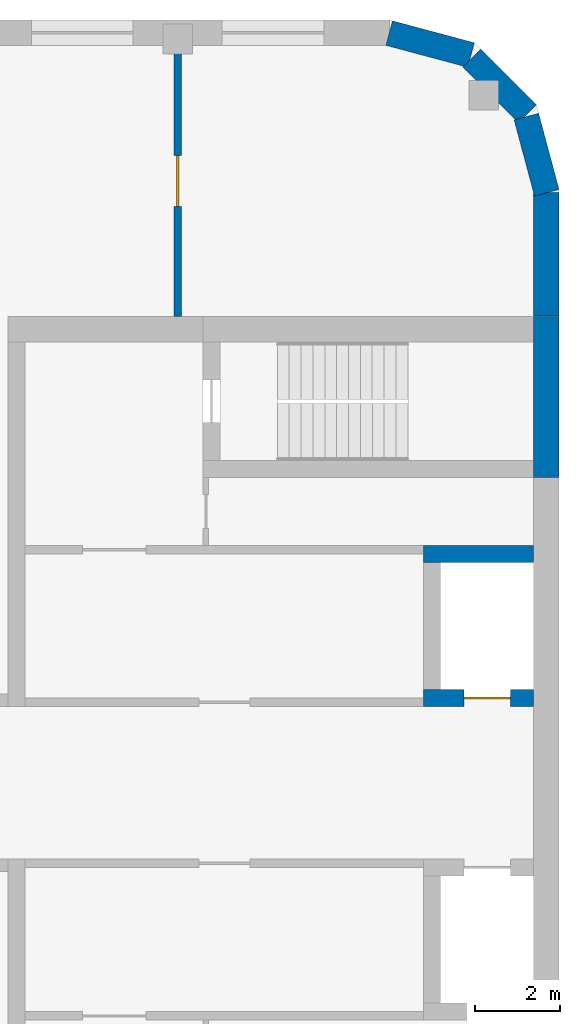
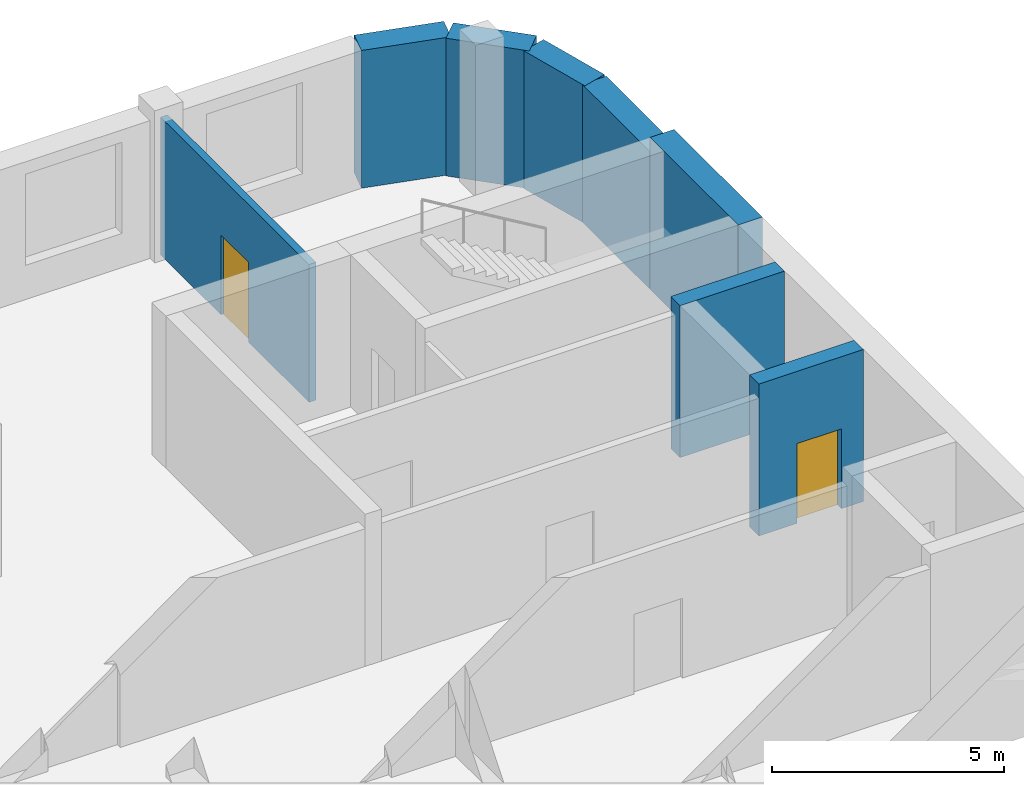
# One storey, part 10 of 16: 8 walls, 2 doors, 2 openings.
"""IFC4 building model written with IfcOpenShell, lengths in metres."""

from ifc_helpers import new_model, si_unit, direction, frame, frame_2d, origin, place, context, subcontext, project, spatial, rectangle, extrude, material, layer, layer_set, type_object, element, fill, save


model = new_model("IFC4")

# Units and contexts
model_context = context("Model", 3, precision=1e-05, world=origin(), true_north=direction((0.0, 1.0)))
body_context = subcontext(model_context, "Body", "Model", "MODEL_VIEW")
ifc_project = project(units=[si_unit("LENGTHUNIT", "METRE"), si_unit("AREAUNIT", "SQUARE_METRE"), si_unit("VOLUMEUNIT", "CUBIC_METRE"), si_unit("PLANEANGLEUNIT", "RADIAN"), si_unit("MASSUNIT", "GRAM", prefix="KILO")], contexts=[model_context])

# Site, building, storey
site_placement = place(None, origin())
site = spatial("IfcSite", under=ifc_project, at=site_placement, CompositionType="ELEMENT")
building_placement = place(site_placement, origin())
building = spatial("IfcBuilding", under=site, at=building_placement, Name="Skarvind Civic Tower", CompositionType="ELEMENT")
storey_placement = place(building_placement, frame((0.0, 0.0, 67.5)))
storey = spatial("IfcBuildingStorey", under=building, at=storey_placement, Name="L15", CompositionType="ELEMENT", Elevation=67.5)

# Wall, opening, door
ifc_material_1 = material(Name="Acoustic gypsum board on steel studs", Category="steel")
ifc_layer_1 = layer(ifc_material_1, 0.175048828125)
ifc_layer_set_1 = layer_set([ifc_layer_1], Name="ACOUSTIC MEETING-ROOM PARTITION 175")
wall_type_1 = type_object("IfcWallType", Name="ACOUSTIC MEETING-ROOM PARTITION 175", PredefinedType="PARTITIONING", material=ifc_layer_set_1)
wall_1_placement = place(storey_placement, frame((158.0, 139.0, 0.0), z_axis=(0.0, 0.0, 1.0), x_axis=(0.0, 1.0, 0.0)))
wall_1 = element("IfcWall", 1, at=wall_1_placement, inside=storey, type_object=wall_type_1, Name="Partition 15.017", PredefinedType="PARTITIONING", context=body_context, shape_type="SweptSolid", body=[
    extrude(rectangle(XDim=6.39990234375, YDim=0.175048828125, at=frame_2d((3.199951171875, 0.0))), origin(), (0.0, 0.0, 1.0), 3.625),
])
opening_1_placement = place(wall_1_placement, frame((2.60009765625, 0.0, 0.0)))
opening_1 = element("IfcOpeningElement", 2, at=opening_1_placement, cuts=wall_1, Name="Opening L15-D104", PredefinedType="OPENING", context=body_context, shape_type="SweptSolid", body=[
    extrude(rectangle(XDim=1.199951171875, YDim=2.10009765625, at=frame_2d((0.60009765625, 1.050048828125))), frame((0.0, 0.097412109375, 0.0), z_axis=(0.0, -1.0, 0.0), x_axis=(1.0, 0.0, 0.0)), (0.0, 0.0, 1.0), 0.195068359375),
])
ifc_material_2 = material(Name="Timber door leaf", Category="wood")
door_type_1 = type_object("IfcDoorType", Name="DOOR 1200X2100 DOUBLE TIMBER", OperationType="NOTDEFINED", PredefinedType="DOOR", material=ifc_material_2)
door_1_placement = place(opening_1_placement, origin())
door_1 = element("IfcDoor", 3, at=door_1_placement, inside=storey, type_object=door_type_1, Name="Door L15-D104", OperationType="DOUBLE_DOOR_SINGLE_SWING", OverallHeight=2.10009765625, OverallWidth=1.199951171875, PredefinedType="DOOR", context=body_context, shape_type="SweptSolid", body=[
    extrude(rectangle(XDim=1.199951171875, YDim=2.10009765625, at=frame_2d((0.60009765625, 1.050048828125))), frame((0.0, 0.02490234375, 0.0), z_axis=(0.0, -1.0, 0.0), x_axis=(1.0, 0.0, 0.0)), (0.0, 0.0, 1.0), 0.050048828125),
])
fill(opening_1, door_1)

ifc_material_3 = material(Name="Concrete C80", Category="concrete")
ifc_layer_2 = layer(ifc_material_3, 0.39990234375)
ifc_layer_set_2 = layer_set([ifc_layer_2], Name="Core wall 400 C80")
wall_type_2 = type_object("IfcWallType", Name="Core wall 400 C80", PredefinedType="SHEAR", material=ifc_layer_set_2)
wall_2_placement = place(storey_placement, frame((166.39990234375, 130.0, 0.0), z_axis=(0.0, 0.0, 1.0), x_axis=(-1.0, 0.0, 0.0)))
wall_2 = element("IfcWall", 4, at=wall_2_placement, inside=storey, type_object=wall_type_2, Name="Core wall CB south lift row front L15", PredefinedType="SHEAR", context=body_context, shape_type="SweptSolid", body=[
    extrude(rectangle(XDim=2.599853515625, YDim=0.39990234375, at=frame_2d((1.2998046875, 0.0))), origin(), (0.0, 0.0, 1.0), 4.0),
])
opening_2_placement = place(wall_2_placement, frame((0.550048828125, 0.0, 0.0)))
opening_2 = element("IfcOpeningElement", 5, at=opening_2_placement, cuts=wall_2, Name="Opening LD17402", PredefinedType="OPENING", context=body_context, shape_type="SweptSolid", body=[
    extrude(rectangle(XDim=1.10009765625, YDim=2.10009765625, at=frame_2d((0.550048828125, 1.050048828125))), frame((0.0, 0.2099609375, 0.0), z_axis=(0.0, -1.0, 0.0), x_axis=(1.0, 0.0, 0.0)), (0.0, 0.0, 1.0), 0.419921875),
])
ifc_material_4 = material(Name="Stainless steel landing door", Category="steel")
door_type_2 = type_object("IfcDoorType", Name="Lift landing door 1100", OperationType="DOUBLE_DOOR_SLIDING", PredefinedType="DOOR", material=ifc_material_4)
door_2_placement = place(opening_2_placement, origin())
door_2 = element("IfcDoor", 6, at=door_2_placement, inside=storey, type_object=door_type_2, Name="Lift landing door", OperationType="DOUBLE_DOOR_SLIDING", OverallHeight=2.10009765625, OverallWidth=1.10009765625, PredefinedType="DOOR", context=body_context, shape_type="SweptSolid", body=[
    extrude(rectangle(XDim=1.10009765625, YDim=2.10009765625, at=frame_2d((0.550048828125, 1.050048828125))), frame((0.0, 0.02490234375, 0.0), z_axis=(0.0, -1.0, 0.0), x_axis=(1.0, 0.0, 0.0)), (0.0, 0.0, 1.0), 0.050048828125),
])
fill(opening_2, door_2)

# Walls
wall_3_placement = place(storey_placement, frame((166.39990234375, 133.39990234375, 0.0), z_axis=(0.0, 0.0, 1.0), x_axis=(-1.0, 0.0, 0.0)))
element("IfcWall", 7, at=wall_3_placement, inside=storey, type_object=wall_type_2, Name="Core wall CB south lift row back L15", PredefinedType="SHEAR", context=body_context, shape_type="SweptSolid", body=[
    extrude(rectangle(XDim=2.599853515625, YDim=0.39990234375, at=frame_2d((1.2998046875, 0.0))), origin(), (0.0, 0.0, 1.0), 4.0),
])
ifc_layer_3 = layer(ifc_material_3, 0.60009765625)
ifc_layer_set_3 = layer_set([ifc_layer_3], Name="Core wall 600 C80")
wall_type_3 = type_object("IfcWallType", Name="Core wall 600 C80", PredefinedType="SHEAR", material=ifc_layer_set_3)
wall_4_placement = place(storey_placement, frame((166.699951171875, 139.0, 0.0), z_axis=(0.0, 0.0, 1.0), x_axis=(0.0, -1.0, 0.0)))
element("IfcWall", 8, at=wall_4_placement, inside=storey, type_object=wall_type_3, Name="Core wall CB tip at the south stair L15", PredefinedType="SHEAR", context=body_context, shape_type="SweptSolid", body=[
    extrude(rectangle(XDim=3.800048828125, YDim=0.60009765625, at=frame_2d((1.89990234375, 0.0))), origin(), (0.0, 0.0, 1.0), 4.0),
])
ifc_material_5 = material(Name="Limestone masonry cladding on insulated backing", Category="masonry")
ifc_layer_4 = layer(ifc_material_5, 0.60009765625)
ifc_layer_set_4 = layer_set([ifc_layer_4], Name="WX1 STONE FACADE WALL 600")
wall_type_4 = type_object("IfcWallType", Name="WX1 STONE FACADE WALL 600", PredefinedType="SOLIDWALL", material=ifc_layer_set_4)
wall_5_placement = place(storey_placement, frame((166.699951171875, 141.929931640625, 0.0), z_axis=(0.0, 0.0, 1.0), x_axis=(0.0, -1.0, 0.0)))
element("IfcWall", 9, at=wall_5_placement, inside=storey, type_object=wall_type_4, Name="STONE FACADE WALL", PredefinedType="SOLIDWALL", context=body_context, shape_type="SweptSolid", body=[
    extrude(rectangle(XDim=2.909912109375, YDim=0.60009765625, at=frame_2d((1.455078125, 0.0))), origin(), (0.0, 0.0, 1.0), 3.625),
])
for number, where, z_axis, x_axis, name in (
    (10, (166.228759765625, 143.719482421875, 0.0), (0.0, 0.0, 1.0), (0.258773254036, -0.965938094805, 0.0), "STONE FACADE WALL"),
    (11, (164.936279296875, 145.103515625, 0.0), (0.0, 0.0, 1.0), (0.707106781187, -0.707106781187, 0.0), "STONE FACADE WALL"),
):
    element("IfcWall", number, at=place(storey_placement, frame(where, z_axis=z_axis, x_axis=x_axis)), inside=storey, type_object=wall_type_4, Name=name, PredefinedType="SOLIDWALL", context=body_context, shape_type="SweptSolid", body=[
        extrude(rectangle(XDim=1.860595703125, YDim=0.60009765625, at=frame_2d((0.93017578125, 0.0))), origin(), (0.0, 0.0, 1.0), 3.625),
    ])
wall_6_placement = place(storey_placement, frame((162.989990234375, 145.692138671875, 0.0), z_axis=(0.0, 0.0, 1.0), x_axis=(0.965920269068, -0.258839784042, 0.0)))
element("IfcWall", 12, at=wall_6_placement, inside=storey, type_object=wall_type_4, Name="STONE FACADE WALL", PredefinedType="SOLIDWALL", context=body_context, shape_type="SweptSolid", body=[
    extrude(rectangle(XDim=2.00048828125, YDim=0.60009765625, at=frame_2d((1.000244140625, 0.0))), origin(), (0.0, 0.0, 1.0), 3.625),
])

save(model, "model.ifc")
